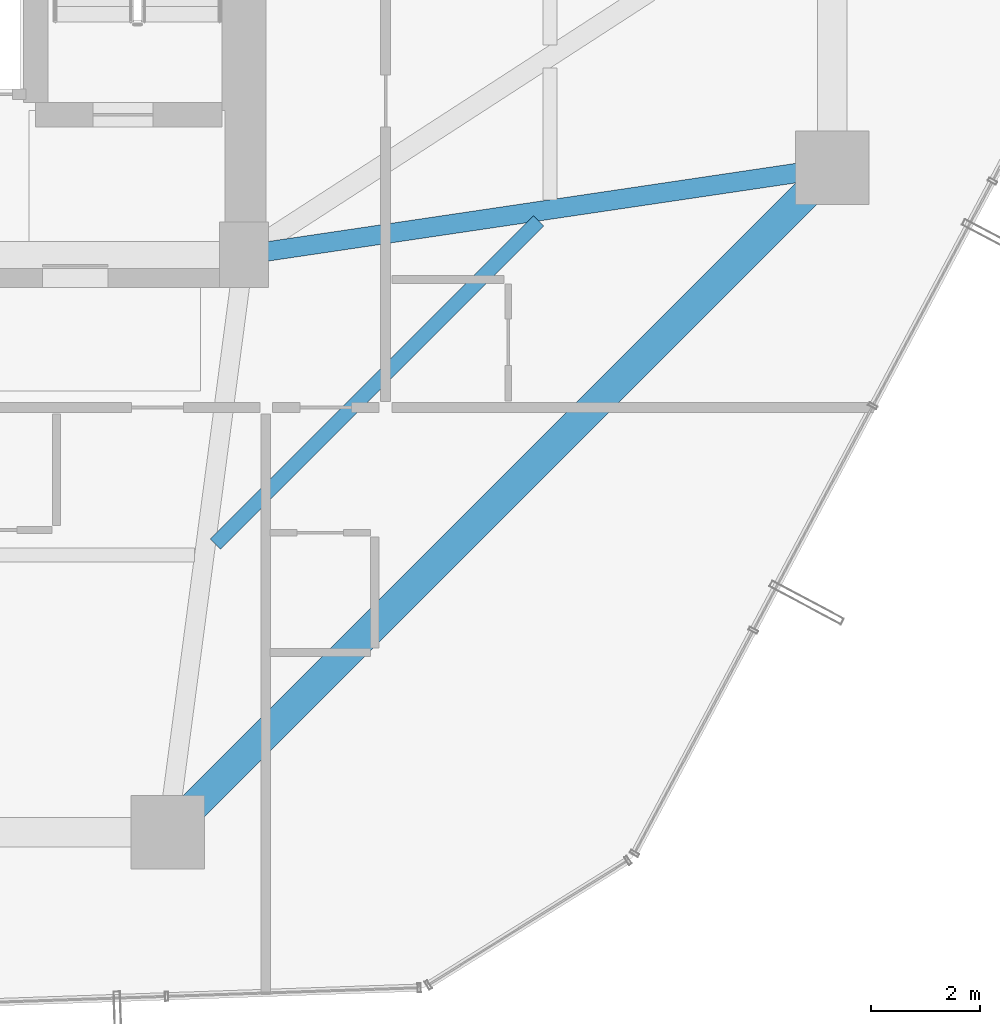
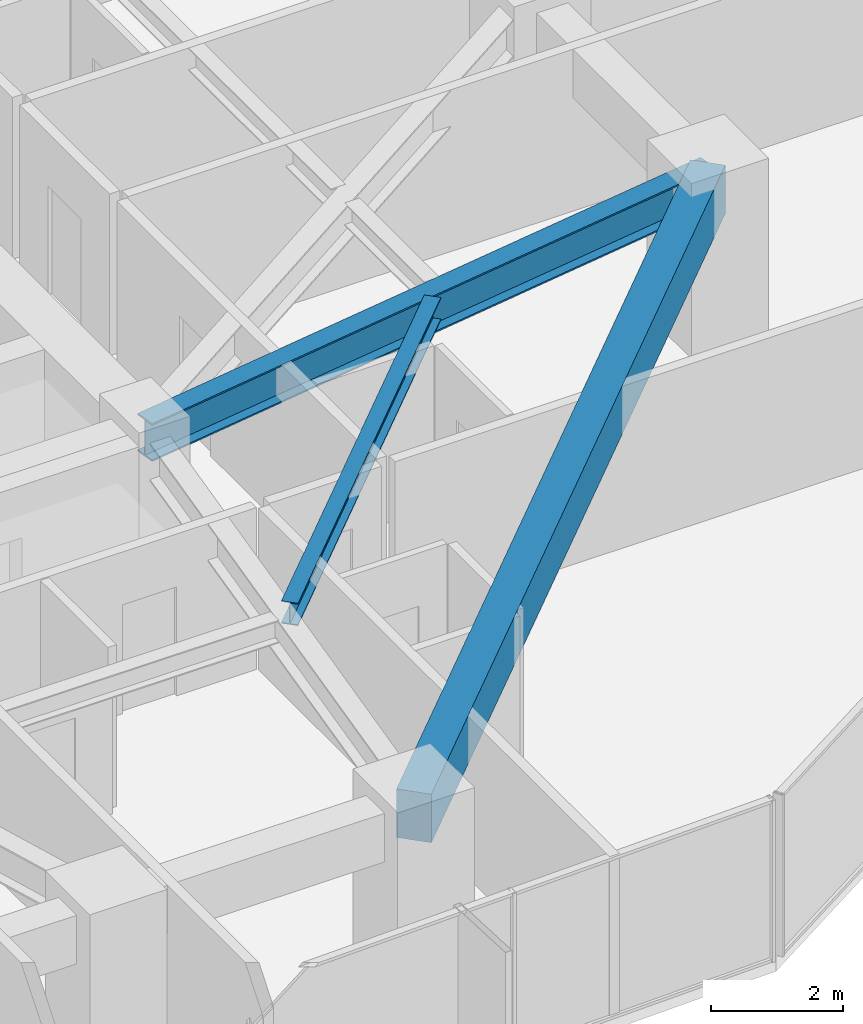
# One storey, part 15 of 39: 3 beams.
"""IFC4 building model written with IfcOpenShell, lengths in metres."""

from ifc_helpers import new_model, si_unit, direction, frame, origin, origin_2d, place, context, subcontext, project, spatial, rectangle, i_section, extrude, material, material_profile, profile_set, type_object, element, save


model = new_model("IFC4")

# Units and contexts
model_context = context("Model", 3, precision=1e-05, world=origin(), true_north=direction((0.0, 1.0)))
body_context = subcontext(model_context, "Body", "Model", "MODEL_VIEW")
ifc_project = project(units=[si_unit("LENGTHUNIT", "METRE"), si_unit("AREAUNIT", "SQUARE_METRE"), si_unit("VOLUMEUNIT", "CUBIC_METRE"), si_unit("PLANEANGLEUNIT", "RADIAN"), si_unit("MASSUNIT", "GRAM", prefix="KILO")], contexts=[model_context])

# Site, building, storey
site_placement = place(None, origin())
site = spatial("IfcSite", under=ifc_project, at=site_placement, CompositionType="ELEMENT")
building_placement = place(site_placement, origin())
building = spatial("IfcBuilding", under=site, at=building_placement, Name="Veraguas Prism Commons", CompositionType="ELEMENT")
storey_placement = place(building_placement, frame((0.0, 0.0, 30.550048828125)))
storey = spatial("IfcBuildingStorey", under=building, at=storey_placement, Name="L07", CompositionType="ELEMENT", Elevation=30.550048828125)

# Beams
ifc_material_1 = material(Name="Steel ASTM A992 Grade 50", Category="steel")
ifc_material_profile_1 = material_profile(ifc_material_1, i_section(OverallWidth=0.260986328125, OverallDepth=0.419921875, WebThickness=0.01171875, FlangeThickness=0.019287109375, at=origin_2d()), Name="W410X114")
ifc_profile_set_1 = profile_set([ifc_material_profile_1], Name="Steel ASTM A992 Grade 50")
beam_type_1 = type_object("IfcBeamType", Name="Lower Floor Joist W410x114", PredefinedType="JOIST", material=ifc_profile_set_1)
beam_1_placement = place(storey_placement, frame((30.276611328125, 11.6923828125, 2.7900390625), z_axis=(0.707092226423, 0.70712133565, 0.0), x_axis=(-0.70712133565, 0.707092226423, 0.0)))
element("IfcBeam", 1, at=beam_1_placement, inside=storey, type_object=beam_type_1, Name="Composite Floor Joist L07-JS12", PredefinedType="JOIST", context=body_context, shape_type="SweptSolid", body=[
    extrude(i_section(OverallWidth=0.260986328125, OverallDepth=0.419921875, WebThickness=0.01171875, FlangeThickness=0.019287109375, at=origin_2d()), origin(), (0.0, 0.0, 1.0), 8.386962890625),
])
ifc_material_2 = material(Name="Concrete C50/60", Category="concrete")
ifc_material_profile_2 = material_profile(ifc_material_2, rectangle(XDim=0.550048828125, YDim=0.89990234375, at=origin_2d()), Name="RC550X900")
ifc_profile_set_2 = profile_set([ifc_material_profile_2], Name="Concrete C50/60")
beam_type_2 = type_object("IfcBeamType", Name="Perimeter Spandrel Lower RC 550x900", PredefinedType="SPANDREL", material=ifc_profile_set_2)
beam_2_placement = place(storey_placement, frame((29.39990234375, 6.39990234375, 2.550048828125), z_axis=(0.707106781187, 0.707106781187, 0.0), x_axis=(-0.707106781187, 0.707106781187, 0.0)))
element("IfcBeam", 2, at=beam_2_placement, inside=storey, type_object=beam_type_2, Name="Perimeter Spandrel Beam L07-SP12", PredefinedType="SPANDREL", context=body_context, shape_type="SweptSolid", body=[
    extrude(rectangle(XDim=0.550048828125, YDim=0.89990234375, at=origin_2d()), origin(), (0.0, 0.0, 1.0), 17.253662109375),
])
ifc_material_profile_3 = material_profile(ifc_material_1, i_section(OverallWidth=0.35595703125, OverallDepth=0.700927734375, WebThickness=0.016845703125, FlangeThickness=0.02734375, at=origin_2d()), Name="W690X240")
ifc_profile_set_3 = profile_set([ifc_material_profile_3], Name="Steel ASTM A992 Grade 50")
beam_type_3 = type_object("IfcBeamType", Name="Zone 1 Radial Girder W690x240", PredefinedType="BEAM", material=ifc_profile_set_3)
beam_3_placement = place(storey_placement, frame((41.60009765625, 18.60009765625, 2.6494140625), z_axis=(-0.989202261707, -0.146556765224, 0.0), x_axis=(0.146556765224, -0.989202261707, 0.0)))
element("IfcBeam", 3, at=beam_3_placement, inside=storey, type_object=beam_type_3, Name="Radial Floor Girder L07-RD01", PredefinedType="BEAM", context=body_context, shape_type="SweptSolid", body=[
    extrude(i_section(OverallWidth=0.35595703125, OverallDepth=0.700927734375, WebThickness=0.016845703125, FlangeThickness=0.02734375, at=origin_2d()), origin(), (0.0, 0.0, 1.0), 10.91796875),
])

save(model, "model.ifc")
